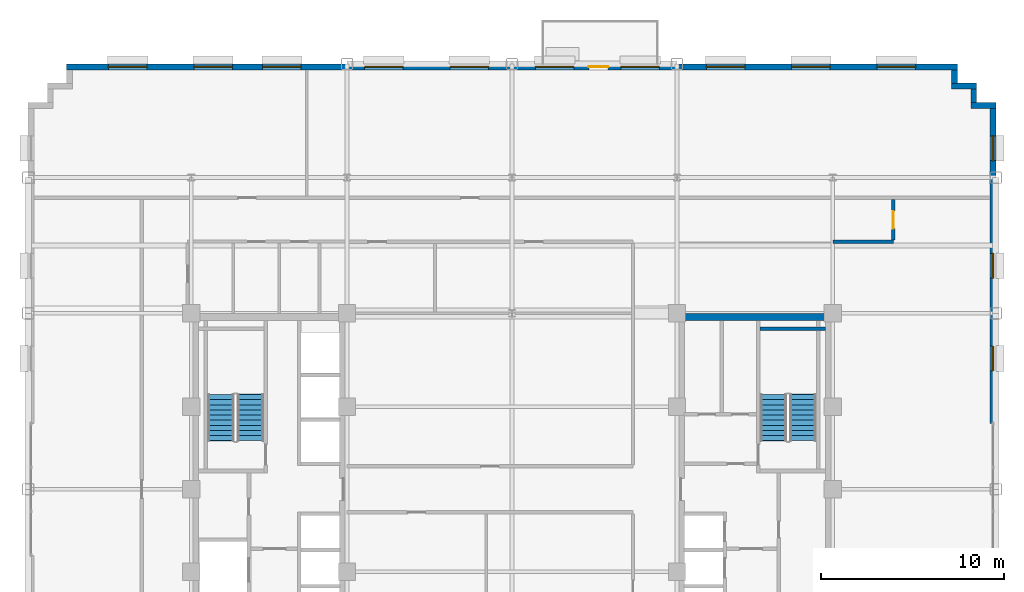
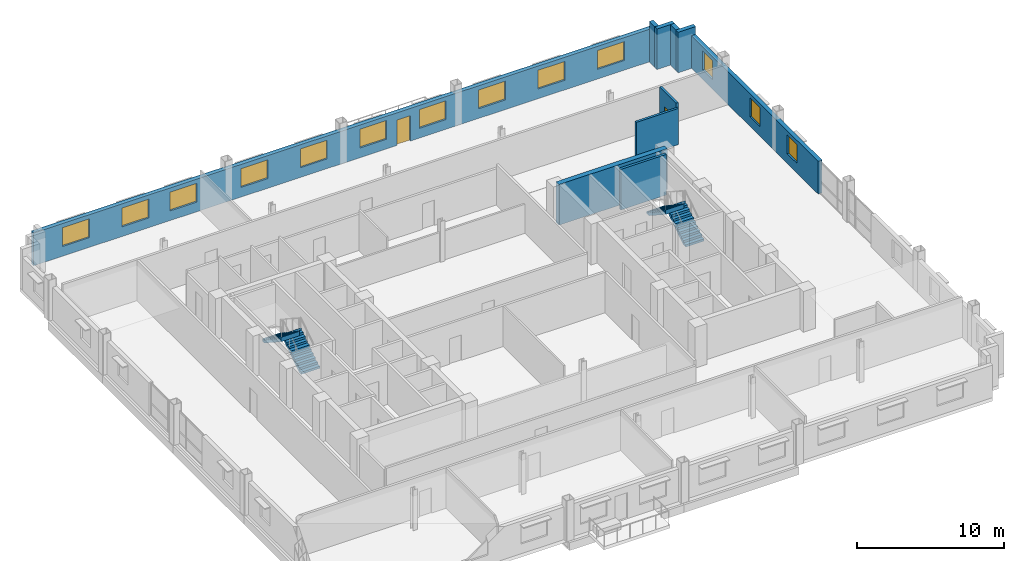
# One storey, part 9 of 15: 13 windows, 10 walls, 4 stair flights, 2 doors, 15 openings, 2 elements without a shape of their own.
"""IFC4 building model written with IfcOpenShell, lengths in metres."""

from ifc_helpers import new_model, si_unit, direction, frame, frame_2d, origin, place, context, subcontext, project, spatial, polyline, rectangle, outline, extrude, source, transform, mapped, material, layer, layer_set, type_object, type_shapes, element, fill, aggregate, save


model = new_model("IFC4")

# Units and contexts
model_context = context("Model", 3, precision=1e-05, world=origin(), true_north=direction((0.0, 1.0)))
body_context = subcontext(model_context, "Body", "Model", "MODEL_VIEW")
ifc_project = project(units=[si_unit("LENGTHUNIT", "METRE"), si_unit("AREAUNIT", "SQUARE_METRE"), si_unit("VOLUMEUNIT", "CUBIC_METRE"), si_unit("PLANEANGLEUNIT", "RADIAN"), si_unit("MASSUNIT", "GRAM", prefix="KILO")], contexts=[model_context])

# Site, building, storey
site_placement = place(None, origin())
site = spatial("IfcSite", under=ifc_project, at=site_placement, CompositionType="ELEMENT")
building_placement = place(site_placement, origin())
building = spatial("IfcBuilding", under=site, at=building_placement, Name="Nuvemarco Arch Tower", CompositionType="ELEMENT")
storey_placement = place(building_placement, frame((0.0, 0.0, 123.85009765625)))
storey = spatial("IfcBuildingStorey", under=building, at=storey_placement, Name="L32", CompositionType="ELEMENT", Elevation=123.85009765625)

# Wall, openings, windows
ifc_material_1 = material(Name="Precast concrete C45/55", Category="concrete")
ifc_layer_1 = layer(ifc_material_1, 0.320068359375, Name="EW-MID-320")
ifc_layer_set_1 = layer_set([ifc_layer_1], Name="Precast concrete C45/55")
wall_type_1 = type_object("IfcWallType", Name="EW-MID-320", PredefinedType="STANDARD", material=ifc_layer_set_1)
wall_1_placement = place(storey_placement, frame((26.239990234375, 3.60009765625, 0.0), z_axis=(0.0, 0.0, 1.0), x_axis=(0.0, 1.0, 0.0)))
wall_1 = element("IfcWall", 1, at=wall_1_placement, inside=storey, type_object=wall_type_1, Name="L32 exterior precast pier wall east right", PredefinedType="STANDARD", context=body_context, shape_type="SweptSolid", body=[
    extrude(rectangle(XDim=17.183837890625, YDim=0.320068359375, at=frame_2d((8.591796875, 0.0))), origin(), (0.0, 0.0, 1.0), 2.704833984375),
])
opening_1_placement = place(wall_1_placement, frame((2.855712890625, 0.0, 0.800048828125)))
opening_1 = element("IfcOpeningElement", 2, at=opening_1_placement, cuts=wall_1, Name="Opening WN-6", PredefinedType="OPENING", context=body_context, shape_type="SweptSolid", body=[
    extrude(rectangle(XDim=1.35009765625, YDim=1.56005859375, at=frame_2d((0.675048828125, 0.780029296875))), frame((0.0, 0.169921875, 0.0), z_axis=(0.0, -1.0, 0.0), x_axis=(1.0, 0.0, 0.0)), (0.0, 0.0, 1.0), 0.340087890625),
])
opening_2_placement = place(wall_1_placement, frame((7.9169921875, 0.0, 0.800048828125)))
opening_2 = element("IfcOpeningElement", 3, at=opening_2_placement, cuts=wall_1, Name="Opening WN-6", PredefinedType="OPENING", context=body_context, shape_type="SweptSolid", body=[
    extrude(rectangle(XDim=1.35009765625, YDim=1.56005859375, at=frame_2d((0.675048828125, 0.780029296875))), frame((0.0, 0.169921875, 0.0), z_axis=(0.0, -1.0, 0.0), x_axis=(1.0, 0.0, 0.0)), (0.0, 0.0, 1.0), 0.340087890625),
])
opening_3_placement = place(wall_1_placement, frame((14.328369140625, 0.0, 0.800048828125)))
opening_3 = element("IfcOpeningElement", 4, at=opening_3_placement, cuts=wall_1, Name="Opening WN-6", PredefinedType="OPENING", context=body_context, shape_type="SweptSolid", body=[
    extrude(rectangle(XDim=1.35009765625, YDim=1.56005859375, at=frame_2d((0.675048828125, 0.780029296875))), frame((0.0, 0.169921875, 0.0), z_axis=(0.0, -1.0, 0.0), x_axis=(1.0, 0.0, 0.0)), (0.0, 0.0, 1.0), 0.340087890625),
])
ifc_material_2 = material(Name="Insulated solar-control glass", Category="glass")
window_type_1 = type_object("IfcWindowType", Name="WN-MID-1350x1560", PartitioningType="SINGLE_PANEL", PredefinedType="WINDOW", material=ifc_material_2)
shared_shape_1 = source(origin(), body_context, "Body", "SweptSolid", [
    extrude(rectangle(XDim=1.35009765625, YDim=1.56005859375, at=frame_2d((0.675048828125, 0.780029296875))), frame((0.0, 0.030029296875, 0.0), z_axis=(0.0, -1.0, 0.0), x_axis=(1.0, 0.0, 0.0)), (0.0, 0.0, 1.0), 0.06005859375),
])
type_shapes(window_type_1, [shared_shape_1])
window_1_placement = place(opening_1_placement, origin())
window_1 = element("IfcWindow", 5, at=window_1_placement, inside=storey, type_object=window_type_1, Name="L32 punched facade window 1", OverallHeight=1.56005859375, OverallWidth=1.35009765625, PartitioningType="SINGLE_PANEL", PredefinedType="WINDOW", context=body_context, shape_type="MappedRepresentation", body=[
    mapped(shared_shape_1, transform((0.0, 0.0, 0.0), scale=1.0)),
])
fill(opening_1, window_1)
window_2_placement = place(opening_2_placement, origin())
window_2 = element("IfcWindow", 6, at=window_2_placement, inside=storey, type_object=window_type_1, Name="L32 punched facade window 2", OverallHeight=1.56005859375, OverallWidth=1.35009765625, PartitioningType="SINGLE_PANEL", PredefinedType="WINDOW", context=body_context, shape_type="MappedRepresentation", body=[
    mapped(shared_shape_1, transform((0.0, 0.0, 0.0), scale=1.0)),
])
fill(opening_2, window_2)
window_3_placement = place(opening_3_placement, origin())
window_3 = element("IfcWindow", 7, at=window_3_placement, inside=storey, type_object=window_type_1, Name="L32 punched facade window 3", OverallHeight=1.56005859375, OverallWidth=1.35009765625, PartitioningType="SINGLE_PANEL", PredefinedType="WINDOW", context=body_context, shape_type="MappedRepresentation", body=[
    mapped(shared_shape_1, transform((0.0, 0.0, 0.0), scale=1.0)),
])
fill(opening_3, window_3)

# Walls
wall_2_placement = place(storey_placement, frame((25.030029296875, 20.93994140625, 0.0), z_axis=(0.0, 0.0, 1.0), x_axis=(1.0, 0.0, 0.0)))
element("IfcWall", 8, at=wall_2_placement, inside=storey, type_object=wall_type_1, Name="L32 exterior precast facade wall 7", PredefinedType="STANDARD", context=body_context, shape_type="SweptSolid", body=[
    extrude(rectangle(XDim=1.369873046875, YDim=0.320068359375, at=frame_2d((0.68505859375, 0.0))), origin(), (0.0, 0.0, 1.0), 3.35986328125),
])
wall_3_placement = place(storey_placement, frame((25.18994140625, 21.095947265625, 0.0), z_axis=(0.0, 0.0, 1.0), x_axis=(0.0, 1.0, 0.0)))
element("IfcWall", 9, at=wall_3_placement, inside=storey, type_object=wall_type_1, Name="L32 exterior precast facade wall 8", PredefinedType="STANDARD", context=body_context, shape_type="SweptSolid", body=[
    extrude(rectangle(XDim=0.738037109375, YDim=0.320068359375, at=frame_2d((0.369140625, 0.0))), origin(), (0.0, 0.0, 1.0), 3.35986328125),
])
wall_4_placement = place(storey_placement, frame((23.97998046875, 21.989990234375, 0.0), z_axis=(0.0, 0.0, 1.0), x_axis=(1.0, 0.0, 0.0)))
element("IfcWall", 10, at=wall_4_placement, inside=storey, type_object=wall_type_1, Name="L32 exterior precast facade wall 9", PredefinedType="STANDARD", context=body_context, shape_type="SweptSolid", body=[
    extrude(rectangle(XDim=1.3701171875, YDim=0.320068359375, at=frame_2d((0.68505859375, 0.0))), origin(), (0.0, 0.0, 1.0), 3.35986328125),
])
wall_5_placement = place(storey_placement, frame((24.139892578125, 22.14599609375, 0.0), z_axis=(0.0, 0.0, 1.0), x_axis=(0.0, 1.0, 0.0)))
element("IfcWall", 11, at=wall_5_placement, inside=storey, type_object=wall_type_1, Name="L32 exterior precast facade wall 10", PredefinedType="STANDARD", context=body_context, shape_type="SweptSolid", body=[
    extrude(rectangle(XDim=0.738037109375, YDim=0.320068359375, at=frame_2d((0.369140625, 0.0))), origin(), (0.0, 0.0, 1.0), 3.35986328125),
])

# Wall, openings, door, windows
wall_6_placement = place(storey_placement, frame((-24.300048828125, 23.0400390625, 0.0), z_axis=(0.0, 0.0, 1.0), x_axis=(1.0, 0.0, 0.0)))
wall_6 = element("IfcWall", 12, at=wall_6_placement, inside=storey, type_object=wall_type_1, Name="L32 exterior precast facade wall 11", PredefinedType="STANDARD", context=body_context, shape_type="SweptSolid", body=[
    extrude(rectangle(XDim=48.60009765625, YDim=0.320068359375, at=frame_2d((24.300048828125, 0.0))), origin(), (0.0, 0.0, 1.0), 2.704833984375),
])
opening_4_placement = place(wall_6_placement, frame((28.5, 0.0, 0.0)))
opening_4 = element("IfcOpeningElement", 13, at=opening_4_placement, cuts=wall_6, Name="Opening ED-5", PredefinedType="OPENING", context=body_context, shape_type="SweptSolid", body=[
    extrude(rectangle(XDim=1.050048828125, YDim=2.10009765625, at=frame_2d((0.52490234375, 1.050048828125))), frame((0.0, 0.169921875, 0.0), z_axis=(0.0, -1.0, 0.0), x_axis=(1.0, 0.0, 0.0)), (0.0, 0.0, 1.0), 0.340087890625),
])
opening_5_placement = place(wall_6_placement, frame((2.280029296875, 0.0, 0.800048828125)))
opening_5 = element("IfcOpeningElement", 14, at=opening_5_placement, cuts=wall_6, Name="Opening WN-5", PredefinedType="OPENING", context=body_context, shape_type="SweptSolid", body=[
    extrude(rectangle(XDim=2.10009765625, YDim=1.56005859375, at=frame_2d((1.050048828125, 0.780029296875))), frame((0.0, 0.169921875, 0.0), z_axis=(0.0, -1.0, 0.0), x_axis=(1.0, 0.0, 0.0)), (0.0, 0.0, 1.0), 0.340087890625),
])
opening_6_placement = place(wall_6_placement, frame((6.93994140625, 0.0, 0.800048828125)))
opening_6 = element("IfcOpeningElement", 15, at=opening_6_placement, cuts=wall_6, Name="Opening WN-5", PredefinedType="OPENING", context=body_context, shape_type="SweptSolid", body=[
    extrude(rectangle(XDim=2.10009765625, YDim=1.56005859375, at=frame_2d((1.050048828125, 0.780029296875))), frame((0.0, 0.169921875, 0.0), z_axis=(0.0, -1.0, 0.0), x_axis=(1.0, 0.0, 0.0)), (0.0, 0.0, 1.0), 0.340087890625),
])
opening_7_placement = place(wall_6_placement, frame((10.699951171875, 0.0, 0.800048828125)))
opening_7 = element("IfcOpeningElement", 16, at=opening_7_placement, cuts=wall_6, Name="Opening WN-5", PredefinedType="OPENING", context=body_context, shape_type="SweptSolid", body=[
    extrude(rectangle(XDim=2.10009765625, YDim=1.56005859375, at=frame_2d((1.050048828125, 0.780029296875))), frame((0.0, 0.169921875, 0.0), z_axis=(0.0, -1.0, 0.0), x_axis=(1.0, 0.0, 0.0)), (0.0, 0.0, 1.0), 0.340087890625),
])
opening_8_placement = place(wall_6_placement, frame((16.260009765625, 0.0, 0.800048828125)))
opening_8 = element("IfcOpeningElement", 17, at=opening_8_placement, cuts=wall_6, Name="Opening WN-5", PredefinedType="OPENING", context=body_context, shape_type="SweptSolid", body=[
    extrude(rectangle(XDim=2.10009765625, YDim=1.56005859375, at=frame_2d((1.050048828125, 0.780029296875))), frame((0.0, 0.169921875, 0.0), z_axis=(0.0, -1.0, 0.0), x_axis=(1.0, 0.0, 0.0)), (0.0, 0.0, 1.0), 0.340087890625),
])
opening_9_placement = place(wall_6_placement, frame((20.919921875, 0.0, 0.800048828125)))
opening_9 = element("IfcOpeningElement", 18, at=opening_9_placement, cuts=wall_6, Name="Opening WN-5", PredefinedType="OPENING", context=body_context, shape_type="SweptSolid", body=[
    extrude(rectangle(XDim=2.10009765625, YDim=1.56005859375, at=frame_2d((1.050048828125, 0.780029296875))), frame((0.0, 0.169921875, 0.0), z_axis=(0.0, -1.0, 0.0), x_axis=(1.0, 0.0, 0.0)), (0.0, 0.0, 1.0), 0.340087890625),
])
opening_10_placement = place(wall_6_placement, frame((25.580078125, 0.0, 0.800048828125)))
opening_10 = element("IfcOpeningElement", 19, at=opening_10_placement, cuts=wall_6, Name="Opening WN-5", PredefinedType="OPENING", context=body_context, shape_type="SweptSolid", body=[
    extrude(rectangle(XDim=2.10009765625, YDim=1.56005859375, at=frame_2d((1.050048828125, 0.780029296875))), frame((0.0, 0.169921875, 0.0), z_axis=(0.0, -1.0, 0.0), x_axis=(1.0, 0.0, 0.0)), (0.0, 0.0, 1.0), 0.340087890625),
])
opening_11_placement = place(wall_6_placement, frame((30.239990234375, 0.0, 0.800048828125)))
opening_11 = element("IfcOpeningElement", 20, at=opening_11_placement, cuts=wall_6, Name="Opening WN-5", PredefinedType="OPENING", context=body_context, shape_type="SweptSolid", body=[
    extrude(rectangle(XDim=2.10009765625, YDim=1.56005859375, at=frame_2d((1.050048828125, 0.780029296875))), frame((0.0, 0.169921875, 0.0), z_axis=(0.0, -1.0, 0.0), x_axis=(1.0, 0.0, 0.0)), (0.0, 0.0, 1.0), 0.340087890625),
])
opening_12_placement = place(wall_6_placement, frame((34.89990234375, 0.0, 0.800048828125)))
opening_12 = element("IfcOpeningElement", 21, at=opening_12_placement, cuts=wall_6, Name="Opening WN-5", PredefinedType="OPENING", context=body_context, shape_type="SweptSolid", body=[
    extrude(rectangle(XDim=2.10009765625, YDim=1.56005859375, at=frame_2d((1.050048828125, 0.780029296875))), frame((0.0, 0.169921875, 0.0), z_axis=(0.0, -1.0, 0.0), x_axis=(1.0, 0.0, 0.0)), (0.0, 0.0, 1.0), 0.340087890625),
])
opening_13_placement = place(wall_6_placement, frame((39.56005859375, 0.0, 0.800048828125)))
opening_13 = element("IfcOpeningElement", 22, at=opening_13_placement, cuts=wall_6, Name="Opening WN-5", PredefinedType="OPENING", context=body_context, shape_type="SweptSolid", body=[
    extrude(rectangle(XDim=2.10009765625, YDim=1.56005859375, at=frame_2d((1.050048828125, 0.780029296875))), frame((0.0, 0.169921875, 0.0), z_axis=(0.0, -1.0, 0.0), x_axis=(1.0, 0.0, 0.0)), (0.0, 0.0, 1.0), 0.340087890625),
])
opening_14_placement = place(wall_6_placement, frame((44.219970703125, 0.0, 0.800048828125)))
opening_14 = element("IfcOpeningElement", 23, at=opening_14_placement, cuts=wall_6, Name="Opening WN-5", PredefinedType="OPENING", context=body_context, shape_type="SweptSolid", body=[
    extrude(rectangle(XDim=2.10009765625, YDim=1.56005859375, at=frame_2d((1.050048828125, 0.780029296875))), frame((0.0, 0.169921875, 0.0), z_axis=(0.0, -1.0, 0.0), x_axis=(1.0, 0.0, 0.0)), (0.0, 0.0, 1.0), 0.340087890625),
])
ifc_material_3 = material(Name="Anodised bronze and laminated glass", Category="glass")
door_type_1 = type_object("IfcDoorType", Name="DR-EXT-TERR", OperationType="NOTDEFINED", PredefinedType="DOOR", material=ifc_material_3)
shared_shape_2 = source(origin(), body_context, "Body", "SweptSolid", [
    extrude(rectangle(XDim=1.050048828125, YDim=2.10009765625, at=frame_2d((0.52490234375, 1.050048828125))), frame((0.0, 0.02490234375, 0.0), z_axis=(0.0, -1.0, 0.0), x_axis=(1.0, 0.0, 0.0)), (0.0, 0.0, 1.0), 0.050048828125),
])
type_shapes(door_type_1, [shared_shape_2])
door_1_placement = place(opening_4_placement, origin())
door_1 = element("IfcDoor", 24, at=door_1_placement, inside=storey, type_object=door_type_1, Name="L32 spiral terrace access door", OperationType="SINGLE_SWING_LEFT", OverallHeight=2.10009765625, OverallWidth=1.050048828125, PredefinedType="DOOR", context=body_context, shape_type="MappedRepresentation", body=[
    mapped(shared_shape_2, transform((0.0, 0.0, 0.0), scale=1.0)),
])
fill(opening_4, door_1)
window_type_2 = type_object("IfcWindowType", Name="WN-MID-2100x1560", PartitioningType="DOUBLE_PANEL_VERTICAL", PredefinedType="WINDOW", material=ifc_material_2)
shared_shape_3 = source(origin(), body_context, "Body", "SweptSolid", [
    extrude(rectangle(XDim=2.10009765625, YDim=1.56005859375, at=frame_2d((1.050048828125, 0.780029296875))), frame((0.0, 0.030029296875, 0.0), z_axis=(0.0, -1.0, 0.0), x_axis=(1.0, 0.0, 0.0)), (0.0, 0.0, 1.0), 0.06005859375),
])
type_shapes(window_type_2, [shared_shape_3])
window_4_placement = place(opening_5_placement, origin())
window_4 = element("IfcWindow", 25, at=window_4_placement, inside=storey, type_object=window_type_2, Name="L32 punched facade window 1", OverallHeight=1.56005859375, OverallWidth=2.10009765625, PartitioningType="SINGLE_PANEL", PredefinedType="WINDOW", context=body_context, shape_type="MappedRepresentation", body=[
    mapped(shared_shape_3, transform((0.0, 0.0, 0.0), scale=1.0)),
])
fill(opening_5, window_4)
window_5_placement = place(opening_6_placement, origin())
window_5 = element("IfcWindow", 26, at=window_5_placement, inside=storey, type_object=window_type_2, Name="L32 punched facade window 2", OverallHeight=1.56005859375, OverallWidth=2.10009765625, PartitioningType="SINGLE_PANEL", PredefinedType="WINDOW", context=body_context, shape_type="MappedRepresentation", body=[
    mapped(shared_shape_3, transform((0.0, 0.0, 0.0), scale=1.0)),
])
fill(opening_6, window_5)
window_6_placement = place(opening_7_placement, origin())
window_6 = element("IfcWindow", 27, at=window_6_placement, inside=storey, type_object=window_type_2, Name="L32 punched facade window 3", OverallHeight=1.56005859375, OverallWidth=2.10009765625, PartitioningType="SINGLE_PANEL", PredefinedType="WINDOW", context=body_context, shape_type="MappedRepresentation", body=[
    mapped(shared_shape_3, transform((0.0, 0.0, 0.0), scale=1.0)),
])
fill(opening_7, window_6)
window_7_placement = place(opening_8_placement, origin())
window_7 = element("IfcWindow", 28, at=window_7_placement, inside=storey, type_object=window_type_2, Name="L32 punched facade window 4", OverallHeight=1.56005859375, OverallWidth=2.10009765625, PartitioningType="SINGLE_PANEL", PredefinedType="WINDOW", context=body_context, shape_type="MappedRepresentation", body=[
    mapped(shared_shape_3, transform((0.0, 0.0, 0.0), scale=1.0)),
])
fill(opening_8, window_7)
window_8_placement = place(opening_9_placement, origin())
window_8 = element("IfcWindow", 29, at=window_8_placement, inside=storey, type_object=window_type_2, Name="L32 punched facade window 5", OverallHeight=1.56005859375, OverallWidth=2.10009765625, PartitioningType="SINGLE_PANEL", PredefinedType="WINDOW", context=body_context, shape_type="MappedRepresentation", body=[
    mapped(shared_shape_3, transform((0.0, 0.0, 0.0), scale=1.0)),
])
fill(opening_9, window_8)
window_9_placement = place(opening_10_placement, origin())
window_9 = element("IfcWindow", 30, at=window_9_placement, inside=storey, type_object=window_type_2, Name="L32 punched facade window 6", OverallHeight=1.56005859375, OverallWidth=2.10009765625, PartitioningType="SINGLE_PANEL", PredefinedType="WINDOW", context=body_context, shape_type="MappedRepresentation", body=[
    mapped(shared_shape_3, transform((0.0, 0.0, 0.0), scale=1.0)),
])
fill(opening_10, window_9)
window_10_placement = place(opening_11_placement, origin())
window_10 = element("IfcWindow", 31, at=window_10_placement, inside=storey, type_object=window_type_2, Name="L32 punched facade window 7", OverallHeight=1.56005859375, OverallWidth=2.10009765625, PartitioningType="SINGLE_PANEL", PredefinedType="WINDOW", context=body_context, shape_type="MappedRepresentation", body=[
    mapped(shared_shape_3, transform((0.0, 0.0, 0.0), scale=1.0)),
])
fill(opening_11, window_10)
window_11_placement = place(opening_12_placement, origin())
window_11 = element("IfcWindow", 32, at=window_11_placement, inside=storey, type_object=window_type_2, Name="L32 punched facade window 8", OverallHeight=1.56005859375, OverallWidth=2.10009765625, PartitioningType="SINGLE_PANEL", PredefinedType="WINDOW", context=body_context, shape_type="MappedRepresentation", body=[
    mapped(shared_shape_3, transform((0.0, 0.0, 0.0), scale=1.0)),
])
fill(opening_12, window_11)
window_12_placement = place(opening_13_placement, origin())
window_12 = element("IfcWindow", 33, at=window_12_placement, inside=storey, type_object=window_type_2, Name="L32 punched facade window 9", OverallHeight=1.56005859375, OverallWidth=2.10009765625, PartitioningType="SINGLE_PANEL", PredefinedType="WINDOW", context=body_context, shape_type="MappedRepresentation", body=[
    mapped(shared_shape_3, transform((0.0, 0.0, 0.0), scale=1.0)),
])
fill(opening_13, window_12)
window_13_placement = place(opening_14_placement, origin())
window_13 = element("IfcWindow", 34, at=window_13_placement, inside=storey, type_object=window_type_2, Name="L32 punched facade window 10", OverallHeight=1.56005859375, OverallWidth=2.10009765625, PartitioningType="SINGLE_PANEL", PredefinedType="WINDOW", context=body_context, shape_type="MappedRepresentation", body=[
    mapped(shared_shape_3, transform((0.0, 0.0, 0.0), scale=1.0)),
])
fill(opening_14, window_13)

# Walls
ifc_material_4 = material(Name="Concrete C60/75", Category="concrete")
ifc_layer_2 = layer(ifc_material_4, 0.39990234375, Name="WL-CORE-400")
ifc_layer_set_2 = layer_set([ifc_layer_2], Name="Concrete C60/75")
wall_type_2 = type_object("IfcWallType", Name="WL-CORE-400", PredefinedType="SHEAR", material=ifc_layer_set_2)
wall_7_placement = place(storey_placement, frame((9.0, 9.39990234375, 0.0), z_axis=(0.0, 0.0, 1.0), x_axis=(1.0, 0.0, 0.0)))
element("IfcWall", 35, at=wall_7_placement, inside=storey, type_object=wall_type_2, Name="L32 E-core shear wall N", PredefinedType="SHEAR", context=body_context, shape_type="SweptSolid", body=[
    extrude(rectangle(XDim=8.5, YDim=0.39990234375, at=frame_2d((4.25, 0.0))), origin(), (0.0, 0.0, 1.0), 3.369873046875),
])
ifc_material_5 = material(Name="Fire-rated gypsum drywall partition")
ifc_layer_3 = layer(ifc_material_5, 0.179931640625, Name="WL-CORR-180")
ifc_layer_set_3 = layer_set([ifc_layer_3], Name="Fire-rated gypsum drywall partition")
wall_type_3 = type_object("IfcWallType", Name="WL-CORR-180", PredefinedType="PARTITIONING", material=ifc_layer_set_3)
wall_8_placement = place(storey_placement, frame((17.5, 13.5, 0.0), z_axis=(0.0, 0.0, 1.0), x_axis=(1.0, 0.0, 0.0)))
element("IfcWall", 36, at=wall_8_placement, inside=storey, type_object=wall_type_3, Name="L32 interior wall IW-L32-011", PredefinedType="PARTITIONING", context=body_context, shape_type="SweptSolid", body=[
    extrude(rectangle(XDim=3.300048828125, YDim=0.179931640625, at=frame_2d((1.64990234375, 0.0))), origin(), (0.0, 0.0, 1.0), 2.997802734375),
])

# Wall, opening, door
wall_9_placement = place(storey_placement, frame((20.800048828125, 13.5859375, 0.0), z_axis=(0.0, 0.0, 1.0), x_axis=(0.0, 1.0, 0.0)))
wall_9 = element("IfcWall", 37, at=wall_9_placement, inside=storey, type_object=wall_type_3, Name="L32 interior wall IW-L32-028", PredefinedType="PARTITIONING", context=body_context, shape_type="SweptSolid", body=[
    extrude(rectangle(XDim=2.22802734375, YDim=0.179931640625, at=frame_2d((1.114013671875, 0.0))), origin(), (0.0, 0.0, 1.0), 3.35986328125),
])
opening_15_placement = place(wall_9_placement, frame((0.634033203125, 0.0, 0.0)))
opening_15 = element("IfcOpeningElement", 38, at=opening_15_placement, cuts=wall_9, Name="Opening FD-5", PredefinedType="OPENING", context=body_context, shape_type="SweptSolid", body=[
    extrude(rectangle(XDim=0.9599609375, YDim=2.10009765625, at=frame_2d((0.47998046875, 1.050048828125))), frame((0.0, 0.099853515625, 0.0), z_axis=(0.0, -1.0, 0.0), x_axis=(1.0, 0.0, 0.0)), (0.0, 0.0, 1.0), 0.199951171875),
])
ifc_material_6 = material(Name="Timber fire door", Category="wood")
door_type_2 = type_object("IfcDoorType", Name="DR-CORR-FD", OperationType="NOTDEFINED", PredefinedType="DOOR", material=ifc_material_6)
shared_shape_4 = source(origin(), body_context, "Body", "SweptSolid", [
    extrude(rectangle(XDim=0.9599609375, YDim=2.10009765625, at=frame_2d((0.47998046875, 1.050048828125))), frame((0.0, 0.02490234375, 0.0), z_axis=(0.0, -1.0, 0.0), x_axis=(1.0, 0.0, 0.0)), (0.0, 0.0, 1.0), 0.050048828125),
])
type_shapes(door_type_2, [shared_shape_4])
door_2_placement = place(opening_15_placement, origin())
door_2 = element("IfcDoor", 39, at=door_2_placement, inside=storey, type_object=door_type_2, Name="L32 door DR-L32-E_1", OperationType="SINGLE_SWING_RIGHT", OverallHeight=2.10009765625, OverallWidth=0.9599609375, PredefinedType="DOOR", context=body_context, shape_type="MappedRepresentation", body=[
    mapped(shared_shape_4, transform((0.0, 0.0, 0.0), scale=1.0)),
])
fill(opening_15, door_2)

# Wall
ifc_material_7 = material(Name="Concrete C50/60", Category="concrete")
ifc_layer_4 = layer(ifc_material_7, 0.199951171875, Name="WL-SHAFT-220")
ifc_layer_set_4 = layer_set([ifc_layer_4], Name="Concrete C50/60")
wall_type_4 = type_object("IfcWallType", Name="WL-SHAFT-220", PredefinedType="SHEAR", material=ifc_layer_set_4)
wall_10_placement = place(storey_placement, frame((13.534912109375, 8.75, 0.0), z_axis=(0.0, 0.0, 1.0), x_axis=(1.0, 0.0, 0.0)))
element("IfcWall", 40, at=wall_10_placement, inside=storey, type_object=wall_type_4, Name="L32 structural shaft wall SW-L32-E-ST2N", PredefinedType="SHEAR", context=body_context, shape_type="SweptSolid", body=[
    extrude(rectangle(XDim=3.570068359375, YDim=0.199951171875, at=frame_2d((1.78515625, 0.0))), origin(), (0.0, 0.0, 1.0), 3.369873046875),
])

# Stair, stair flights
stair_type = type_object("IfcStairType", Name="ST-CORE-20R", PredefinedType="HALF_TURN_STAIR", material=ifc_material_1)
stair_1_placement = place(storey_placement, origin())
stair_1 = element("IfcStair", 41, at=stair_1_placement, inside=storey, type_object=stair_type, Name="L32 Protected Exit Stair ST-1", PredefinedType="HALF_TURN_STAIR")
stair_flight_type = type_object("IfcStairFlightType", Name="SF-CORE-20R", PredefinedType="STRAIGHT", material=ifc_material_1)
stair_flight_1_placement = place(storey_placement, frame((-14.264892578125, 2.64990234375, 0.0), z_axis=(0.0, 0.0, 1.0), x_axis=(0.0, 1.0, 0.0)))
stair_flight_1 = element("IfcStairFlight", 42, at=stair_flight_1_placement, type_object=stair_flight_type, Name="ST-20R flight 1", NumberOfRisers=10, NumberOfTreads=9, PredefinedType="STRAIGHT", RiserHeight=0.1825, TreadLength=0.28, context=body_context, shape_type="SweptSolid", body=[
    extrude(outline(polyline([(0.0, 0.0), (0.0, 0.1826171875), (0.280029296875, 0.1826171875), (0.280029296875, 0.364990234375), (0.56005859375, 0.364990234375), (0.56005859375, 0.547607421875), (0.840087890625, 0.547607421875), (0.840087890625, 0.72998046875), (1.1201171875, 0.72998046875), (1.1201171875, 0.91259765625), (1.39990234375, 0.91259765625), (1.39990234375, 1.094970703125), (1.679931640625, 1.094970703125), (1.679931640625, 1.277587890625), (1.9599609375, 1.277587890625), (1.9599609375, 1.4599609375), (2.239990234375, 1.4599609375), (2.239990234375, 1.642578125), (2.52001953125, 1.642578125), (2.52001953125, 1.824951171875), (2.5400390625, 1.824951171875), (2.5400390625, 1.45166015625), (0.312744140625, 0.0), (0.0, 0.0)])), frame((0.0, 0.72509765625, 0.0), z_axis=(0.0, -1.0, 0.0), x_axis=(1.0, 0.0, 0.0)), (0.0, 0.0, 1.0), 1.449951171875),
])
stair_flight_2_placement = place(storey_placement, frame((-15.875, 5.169921875, 1.824951171875), z_axis=(0.0, 0.0, 1.0), x_axis=(0.0, -1.0, 0.0)))
stair_flight_2 = element("IfcStairFlight", 43, at=stair_flight_2_placement, type_object=stair_flight_type, Name="ST-20R flight 2", NumberOfRisers=10, NumberOfTreads=9, PredefinedType="STRAIGHT", RiserHeight=0.1825, TreadLength=0.28, context=body_context, shape_type="SweptSolid", body=[
    extrude(outline(polyline([(0.0, 0.0), (0.0, 0.1826171875), (0.280029296875, 0.1826171875), (0.280029296875, 0.364990234375), (0.56005859375, 0.364990234375), (0.56005859375, 0.547607421875), (0.840087890625, 0.547607421875), (0.840087890625, 0.72998046875), (1.1201171875, 0.72998046875), (1.1201171875, 0.91259765625), (1.39990234375, 0.91259765625), (1.39990234375, 1.094970703125), (1.679931640625, 1.094970703125), (1.679931640625, 1.277587890625), (1.9599609375, 1.277587890625), (1.9599609375, 1.4599609375), (2.239990234375, 1.4599609375), (2.239990234375, 1.642578125), (2.52001953125, 1.642578125), (2.52001953125, 1.824951171875), (2.5400390625, 1.824951171875), (2.5400390625, 1.45166015625), (0.312744140625, 0.0), (0.0, 0.0)])), frame((0.0, 0.72509765625, 0.0), z_axis=(0.0, -1.0, 0.0), x_axis=(1.0, 0.0, 0.0)), (0.0, 0.0, 1.0), 1.449951171875),
])
aggregate(stair_1, [stair_flight_1, stair_flight_2])

stair_2_placement = place(storey_placement, origin())
stair_2 = element("IfcStair", 44, at=stair_2_placement, inside=storey, type_object=stair_type, Name="L32 Protected Exit Stair ST-2", PredefinedType="HALF_TURN_STAIR")
stair_flight_3_placement = place(storey_placement, frame((15.875, 2.64990234375, 0.0), z_axis=(0.0, 0.0, 1.0), x_axis=(0.0, 1.0, 0.0)))
stair_flight_3 = element("IfcStairFlight", 45, at=stair_flight_3_placement, type_object=stair_flight_type, Name="ST-20R flight 1", NumberOfRisers=10, NumberOfTreads=9, PredefinedType="STRAIGHT", RiserHeight=0.1825, TreadLength=0.28, context=body_context, shape_type="SweptSolid", body=[
    extrude(outline(polyline([(0.0, 0.0), (0.0, 0.1826171875), (0.280029296875, 0.1826171875), (0.280029296875, 0.364990234375), (0.56005859375, 0.364990234375), (0.56005859375, 0.547607421875), (0.840087890625, 0.547607421875), (0.840087890625, 0.72998046875), (1.1201171875, 0.72998046875), (1.1201171875, 0.91259765625), (1.39990234375, 0.91259765625), (1.39990234375, 1.094970703125), (1.679931640625, 1.094970703125), (1.679931640625, 1.277587890625), (1.9599609375, 1.277587890625), (1.9599609375, 1.4599609375), (2.239990234375, 1.4599609375), (2.239990234375, 1.642578125), (2.52001953125, 1.642578125), (2.52001953125, 1.824951171875), (2.5400390625, 1.824951171875), (2.5400390625, 1.45166015625), (0.312744140625, 0.0), (0.0, 0.0)])), frame((0.0, 0.72509765625, 0.0), z_axis=(0.0, -1.0, 0.0), x_axis=(1.0, 0.0, 0.0)), (0.0, 0.0, 1.0), 1.449951171875),
])
stair_flight_4_placement = place(storey_placement, frame((14.264892578125, 5.169921875, 1.824951171875), z_axis=(0.0, 0.0, 1.0), x_axis=(0.0, -1.0, 0.0)))
stair_flight_4 = element("IfcStairFlight", 46, at=stair_flight_4_placement, type_object=stair_flight_type, Name="ST-20R flight 2", NumberOfRisers=10, NumberOfTreads=9, PredefinedType="STRAIGHT", RiserHeight=0.1825, TreadLength=0.28, context=body_context, shape_type="SweptSolid", body=[
    extrude(outline(polyline([(0.0, 0.0), (0.0, 0.1826171875), (0.280029296875, 0.1826171875), (0.280029296875, 0.364990234375), (0.56005859375, 0.364990234375), (0.56005859375, 0.547607421875), (0.840087890625, 0.547607421875), (0.840087890625, 0.72998046875), (1.1201171875, 0.72998046875), (1.1201171875, 0.91259765625), (1.39990234375, 0.91259765625), (1.39990234375, 1.094970703125), (1.679931640625, 1.094970703125), (1.679931640625, 1.277587890625), (1.9599609375, 1.277587890625), (1.9599609375, 1.4599609375), (2.239990234375, 1.4599609375), (2.239990234375, 1.642578125), (2.52001953125, 1.642578125), (2.52001953125, 1.824951171875), (2.5400390625, 1.824951171875), (2.5400390625, 1.45166015625), (0.312744140625, 0.0), (0.0, 0.0)])), frame((0.0, 0.72509765625, 0.0), z_axis=(0.0, -1.0, 0.0), x_axis=(1.0, 0.0, 0.0)), (0.0, 0.0, 1.0), 1.449951171875),
])
aggregate(stair_2, [stair_flight_3, stair_flight_4])

save(model, "model.ifc")
